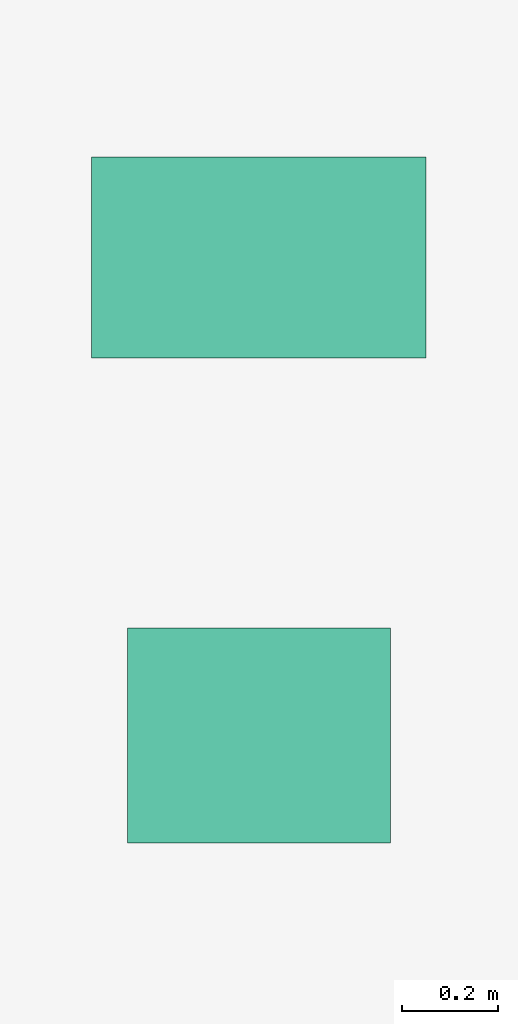
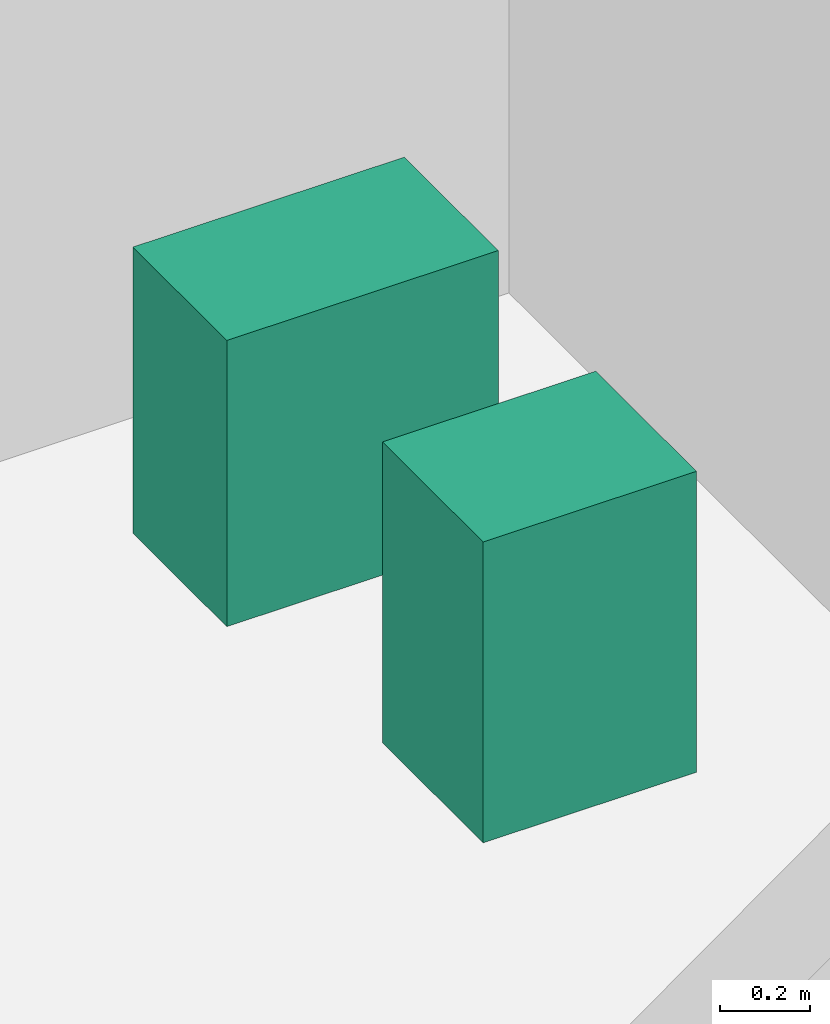
# One storey, part 33 of 33: 2 sanitary terminals.
"""IFC4 building model written with IfcOpenShell, lengths in metres."""

from ifc_helpers import new_model, si_unit, direction, frame, origin, origin_2d, place, context, subcontext, project, spatial, rectangle, extrude, source, transform, mapped, material, type_object, element, save


model = new_model("IFC4")

# Units and contexts
model_context = context("Model", 3, precision=1e-05, world=origin(), true_north=direction((0.0, 1.0)))
body_context = subcontext(model_context, "Body", "Model", "MODEL_VIEW")
ifc_project = project(units=[si_unit("LENGTHUNIT", "METRE"), si_unit("AREAUNIT", "SQUARE_METRE"), si_unit("VOLUMEUNIT", "CUBIC_METRE"), si_unit("PLANEANGLEUNIT", "RADIAN"), si_unit("MASSUNIT", "GRAM", prefix="KILO")], contexts=[model_context])

# Site, building, storey
site_placement = place(None, origin())
site = spatial("IfcSite", under=ifc_project, at=site_placement, CompositionType="ELEMENT")
building_placement = place(site_placement, origin())
building = spatial("IfcBuilding", under=site, at=building_placement, Name="Sumidabori Civic Tower", CompositionType="ELEMENT")
storey_placement = place(building_placement, frame((0.0, 0.0, 23.60009765625)))
storey = spatial("IfcBuildingStorey", under=building, at=storey_placement, Name="L05", CompositionType="ELEMENT", Elevation=23.60009765625)

# Sanitary terminals
ifc_material = material(Name="Vitreous Sanitary Porcelain")
sanitary_terminal_type_1 = type_object("IfcSanitaryTerminalType", Name="SN-WC-1", PredefinedType="TOILETPAN", material=ifc_material)
shared_shape_1 = source(origin(), body_context, "Body", "SweptSolid", [
    extrude(rectangle(XDim=0.699951171875, YDim=0.419921875, at=origin_2d()), origin(), (0.0, 0.0, 1.0), 0.780029296875),
])
sanitary_terminal_1_placement = place(storey_placement, frame((10.800048828125, 21.85009765625, 0.0), z_axis=(0.0, 0.0, 1.0), x_axis=(1.0, 0.0, 0.0)))
element("IfcSanitaryTerminal", 1, at=sanitary_terminal_1_placement, inside=storey, type_object=sanitary_terminal_type_1, Name="Accessible WC Pan L05", PredefinedType="TOILETPAN", context=body_context, shape_type="MappedRepresentation", body=[
    mapped(shared_shape_1, transform((0.0, 0.0, 0.0), x_axis=(1.0, 0.0, 0.0), y_axis=(0.0, 1.0, 0.0), z_axis=(0.0, 0.0, 1.0), scale=1.0)),
])
sanitary_terminal_type_2 = type_object("IfcSanitaryTerminalType", Name="SN-BAS-1", PredefinedType="WASHHANDBASIN", material=ifc_material)
shared_shape_2 = source(origin(), body_context, "Body", "SweptSolid", [
    extrude(rectangle(XDim=0.550048828125, YDim=0.449951171875, at=origin_2d()), origin(), (0.0, 0.0, 1.0), 0.820068359375),
])
sanitary_terminal_2_placement = place(storey_placement, frame((10.800048828125, 20.85009765625, 0.0), z_axis=(0.0, 0.0, 1.0), x_axis=(1.0, 0.0, 0.0)))
element("IfcSanitaryTerminal", 2, at=sanitary_terminal_2_placement, inside=storey, type_object=sanitary_terminal_type_2, Name="Accessible Basin L05", PredefinedType="WASHHANDBASIN", context=body_context, shape_type="MappedRepresentation", body=[
    mapped(shared_shape_2, transform((0.0, 0.0, 0.0), x_axis=(1.0, 0.0, 0.0), y_axis=(0.0, 1.0, 0.0), z_axis=(0.0, 0.0, 1.0), scale=1.0)),
])

save(model, "model.ifc")
